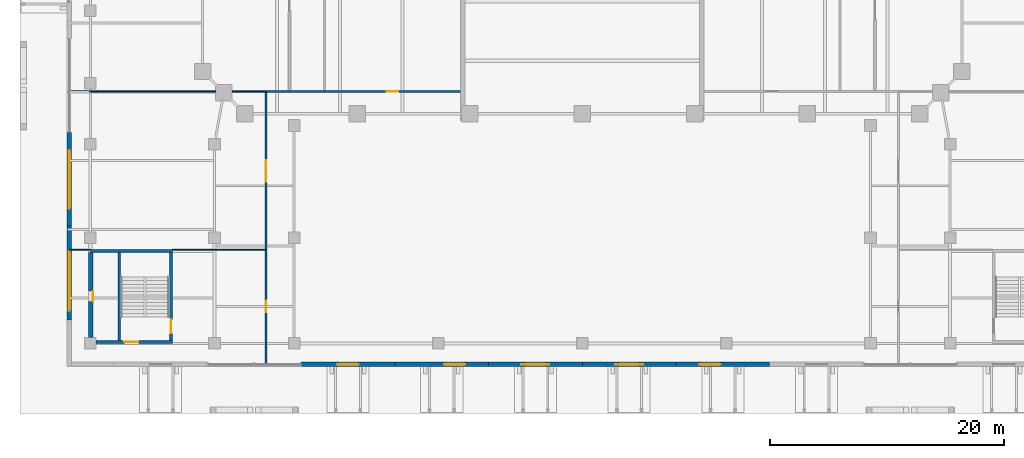
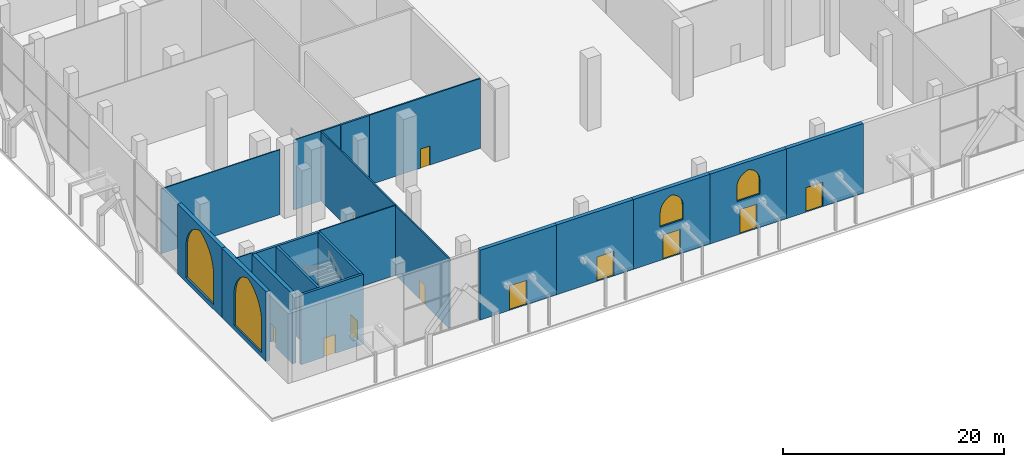
# One storey, part 27 of 38: 21 walls, 11 doors, 4 windows, 15 openings.
"""IFC4 building model written with IfcOpenShell, lengths in metres."""

from ifc_helpers import new_model, si_unit, direction, frame, frame_2d, origin, place, context, subcontext, project, spatial, polyline, rectangle, outline, extrude, material, layer, layer_set, type_object, element, fill, save


model = new_model("IFC4")

# Units and contexts
model_context = context("Model", 3, precision=1e-05, world=origin(), true_north=direction((0.0, 1.0)))
body_context = subcontext(model_context, "Body", "Model", "MODEL_VIEW")
ifc_project = project(units=[si_unit("LENGTHUNIT", "METRE"), si_unit("AREAUNIT", "SQUARE_METRE"), si_unit("VOLUMEUNIT", "CUBIC_METRE"), si_unit("PLANEANGLEUNIT", "RADIAN"), si_unit("MASSUNIT", "GRAM", prefix="KILO")], contexts=[model_context])

# Site, building, storey
site_placement = place(None, origin())
site = spatial("IfcSite", under=ifc_project, at=site_placement, CompositionType="ELEMENT")
building_placement = place(site_placement, origin())
building = spatial("IfcBuilding", under=site, at=building_placement, Name="Ogive Exchange Tower", CompositionType="ELEMENT")
storey_placement = place(building_placement, origin())
storey = spatial("IfcBuildingStorey", under=building, at=storey_placement, Name="L00", CompositionType="ELEMENT", Elevation=0.0)

# Wall
ifc_material_1 = material(Name="Fire partition EI 60 150")
ifc_layer_1 = layer(ifc_material_1, 0.14990234375)
ifc_layer_set_1 = layer_set([ifc_layer_1], Name="Fire partition EI 60 150")
wall_type_1 = type_object("IfcWallType", Name="Fire partition EI 60 150", PredefinedType="PARTITIONING", material=ifc_layer_set_1)
wall_1_placement = place(storey_placement, frame((-27.0, -28.5, 0.0), z_axis=(0.0, 0.0, 1.0), x_axis=(1.0, 0.0, 0.0)))
element("IfcWall", 1, at=wall_1_placement, inside=storey, type_object=wall_type_1, Name="L00-PWL-007", PredefinedType="PARTITIONING", context=body_context, shape_type="SweptSolid", body=[
    extrude(rectangle(XDim=2.0, YDim=0.14990234375, at=frame_2d((1.0, 0.0))), origin(), (0.0, 0.0, 1.0), 7.699951171875),
])

# Wall, opening, door
wall_2_placement = place(storey_placement, frame((-22.0, -28.5, 0.0), z_axis=(0.0, 0.0, 1.0), x_axis=(1.0, 0.0, 0.0)))
wall_2 = element("IfcWall", 2, at=wall_2_placement, inside=storey, type_object=wall_type_1, Name="L00-PWL-009", PredefinedType="PARTITIONING", context=body_context, shape_type="SweptSolid", body=[
    extrude(rectangle(XDim=11.60009765625, YDim=0.14990234375, at=frame_2d((5.800048828125, 0.0))), origin(), (0.0, 0.0, 1.0), 7.699951171875),
])
opening_1_placement = place(wall_2_placement, frame((5.300048828125, 0.0, 0.0)))
opening_1 = element("IfcOpeningElement", 3, at=opening_1_placement, cuts=wall_2, Name="Opening L00-I17", PredefinedType="OPENING", context=body_context, shape_type="SweptSolid", body=[
    extrude(rectangle(XDim=1.0, YDim=2.10009765625, at=frame_2d((0.5, 1.050048828125))), frame((0.0, 0.0849609375, 0.0), z_axis=(0.0, -1.0, 0.0), x_axis=(1.0, 0.0, 0.0)), (0.0, 0.0, 1.0), 0.169921875),
])
ifc_material_2 = material(Name="Fire door FD 30S 1000 x 2100")
door_type_1 = type_object("IfcDoorType", Name="Fire door FD 30S 1000 x 2100", OperationType="NOTDEFINED", PredefinedType="DOOR", material=ifc_material_2)
door_1_placement = place(opening_1_placement, origin())
door_1 = element("IfcDoor", 4, at=door_1_placement, inside=storey, type_object=door_type_1, Name="L00-IDR-017", ObjectType="DT3", OperationType="SINGLE_SWING_LEFT", OverallHeight=2.10009765625, OverallWidth=1.0, PredefinedType="DOOR", context=body_context, shape_type="SweptSolid", body=[
    extrude(rectangle(XDim=1.0, YDim=2.10009765625, at=frame_2d((0.5, 1.050048828125))), frame((0.0, 0.02490234375, 0.0), z_axis=(0.0, -1.0, 0.0), x_axis=(1.0, 0.0, 0.0)), (0.0, 0.0, 1.0), 0.050048828125),
])
fill(opening_1, door_1)

wall_3_placement = place(storey_placement, frame((-27.0, -51.719970703125, 0.0), z_axis=(0.0, 0.0, 1.0), x_axis=(0.0, 1.0, 0.0)))
wall_3 = element("IfcWall", 5, at=wall_3_placement, inside=storey, type_object=wall_type_1, Name="L00-PWL-030", PredefinedType="PARTITIONING", context=body_context, shape_type="SweptSolid", body=[
    extrude(rectangle(XDim=9.719970703125, YDim=0.14990234375, at=frame_2d((4.85986328125, 0.0))), origin(), (0.0, 0.0, 1.0), 7.699951171875),
])
opening_2_placement = place(wall_3_placement, frame((4.360107421875, 0.0, 0.0)))
opening_2 = element("IfcOpeningElement", 6, at=opening_2_placement, cuts=wall_3, Name="Opening L00-I03", PredefinedType="OPENING", context=body_context, shape_type="SweptSolid", body=[
    extrude(rectangle(XDim=1.0, YDim=2.10009765625, at=frame_2d((0.5, 1.050048828125))), frame((0.0, 0.0849609375, 0.0), z_axis=(0.0, -1.0, 0.0), x_axis=(1.0, 0.0, 0.0)), (0.0, 0.0, 1.0), 0.169921875),
])
door_2_placement = place(opening_2_placement, origin())
door_2 = element("IfcDoor", 7, at=door_2_placement, inside=storey, type_object=door_type_1, Name="L00-IDR-003", ObjectType="DT3", OperationType="SINGLE_SWING_LEFT", OverallHeight=2.10009765625, OverallWidth=1.0, PredefinedType="DOOR", context=body_context, shape_type="SweptSolid", body=[
    extrude(rectangle(XDim=1.0, YDim=2.10009765625, at=frame_2d((0.5, 1.050048828125))), frame((0.0, 0.02490234375, 0.0), z_axis=(0.0, -1.0, 0.0), x_axis=(1.0, 0.0, 0.0)), (0.0, 0.0, 1.0), 0.050048828125),
])
fill(opening_2, door_2)

wall_4_placement = place(storey_placement, frame((-27.0, -42.0, 0.0), z_axis=(0.0, 0.0, 1.0), x_axis=(0.0, 1.0, 0.0)))
wall_4 = element("IfcWall", 8, at=wall_4_placement, inside=storey, type_object=wall_type_1, Name="L00-PWL-031", PredefinedType="PARTITIONING", context=body_context, shape_type="SweptSolid", body=[
    extrude(rectangle(XDim=13.425048828125, YDim=0.14990234375, at=frame_2d((6.71240234375, 0.0))), origin(), (0.0, 0.0, 1.0), 7.699951171875),
])
opening_3_placement = place(wall_4_placement, frame((5.8125, 0.0, 0.0)))
opening_3 = element("IfcOpeningElement", 9, at=opening_3_placement, cuts=wall_4, Name="Opening L00-I19", PredefinedType="OPENING", context=body_context, shape_type="SweptSolid", body=[
    extrude(rectangle(XDim=1.800048828125, YDim=2.10009765625, at=frame_2d((0.89990234375, 1.050048828125))), frame((0.0, 0.0849609375, 0.0), z_axis=(0.0, -1.0, 0.0), x_axis=(1.0, 0.0, 0.0)), (0.0, 0.0, 1.0), 0.169921875),
])
ifc_material_3 = material(Name="Fire door FD 30S 1800 x 2100")
door_type_2 = type_object("IfcDoorType", Name="Fire door FD 30S 1800 x 2100", OperationType="DOUBLE_DOOR_SINGLE_SWING", PredefinedType="DOOR", material=ifc_material_3)
door_3_placement = place(opening_3_placement, origin())
door_3 = element("IfcDoor", 10, at=door_3_placement, inside=storey, type_object=door_type_2, Name="L00-IDR-019", ObjectType="DT4", OperationType="SINGLE_SWING_RIGHT", OverallHeight=2.10009765625, OverallWidth=1.800048828125, PredefinedType="DOOR", context=body_context, shape_type="SweptSolid", body=[
    extrude(rectangle(XDim=1.800048828125, YDim=2.10009765625, at=frame_2d((0.89990234375, 1.050048828125))), frame((0.0, 0.02490234375, 0.0), z_axis=(0.0, -1.0, 0.0), x_axis=(1.0, 0.0, 0.0)), (0.0, 0.0, 1.0), 0.050048828125),
])
fill(opening_3, door_3)

ifc_material_4 = material(Name="Precast concrete C40/50", Category="concrete")
ifc_layer_2 = layer(ifc_material_4, 0.39990234375)
ifc_layer_set_2 = layer_set([ifc_layer_2], Name="Limestone-faced wall 400")
wall_type_2 = type_object("IfcWallType", Name="Limestone-faced wall 400", PredefinedType="STANDARD", material=ifc_layer_set_2)
wall_5_placement = place(storey_placement, frame((-24.0, -51.800048828125, 0.0), z_axis=(0.0, 0.0, 1.0), x_axis=(1.0, 0.0, 0.0)))
wall_5 = element("IfcWall", 11, at=wall_5_placement, inside=storey, type_object=wall_type_2, Name="Podium wall S4", PredefinedType="STANDARD", context=body_context, shape_type="SweptSolid", body=[
    extrude(rectangle(XDim=8.0, YDim=0.39990234375, at=frame_2d((4.0, 0.0))), origin(), (0.0, 0.0, 1.0), 7.699951171875),
])
opening_4_placement = place(wall_5_placement, frame((3.10009765625, 0.0, 0.0)))
opening_4 = element("IfcOpeningElement", 12, at=opening_4_placement, cuts=wall_5, Name="Opening L00-E02", PredefinedType="OPENING", context=body_context, shape_type="SweptSolid", body=[
    extrude(rectangle(XDim=1.800048828125, YDim=2.699951171875, at=frame_2d((0.89990234375, 1.35009765625))), frame((0.0, 0.2099609375, 0.0), z_axis=(0.0, -1.0, 0.0), x_axis=(1.0, 0.0, 0.0)), (0.0, 0.0, 1.0), 0.419921875),
])
ifc_material_5 = material(Name="Steel and glass", Category="steel")
door_type_3 = type_object("IfcDoorType", Name="Exit door 1800 x 2700", OperationType="DOUBLE_DOOR_SINGLE_SWING", PredefinedType="DOOR", material=ifc_material_5)
door_4_placement = place(opening_4_placement, frame((1.800048828125, 0.0, 0.0), z_axis=(0.0, 0.0, 1.0), x_axis=(-1.0, 0.0, 0.0)))
door_4 = element("IfcDoor", 13, at=door_4_placement, inside=storey, type_object=door_type_3, Name="Exit door X2", ObjectType="XD1", OperationType="DOUBLE_DOOR_SINGLE_SWING", OverallHeight=2.699951171875, OverallWidth=1.800048828125, PredefinedType="DOOR", context=body_context, shape_type="SweptSolid", body=[
    extrude(rectangle(XDim=1.800048828125, YDim=2.699951171875, at=frame_2d((0.89990234375, 1.35009765625))), frame((0.0, 0.02490234375, 0.0), z_axis=(0.0, -1.0, 0.0), x_axis=(1.0, 0.0, 0.0)), (0.0, 0.0, 1.0), 0.050048828125),
])
fill(opening_4, door_4)

wall_6_placement = place(storey_placement, frame((-16.0, -51.800048828125, 0.0), z_axis=(0.0, 0.0, 1.0), x_axis=(1.0, 0.0, 0.0)))
wall_6 = element("IfcWall", 14, at=wall_6_placement, inside=storey, type_object=wall_type_2, Name="Podium wall S5", PredefinedType="STANDARD", context=body_context, shape_type="SweptSolid", body=[
    extrude(rectangle(XDim=8.0, YDim=0.39990234375, at=frame_2d((4.0, 0.0))), origin(), (0.0, 0.0, 1.0), 7.699951171875),
])
opening_5_placement = place(wall_6_placement, frame((4.199951171875, 0.0, 0.0)))
opening_5 = element("IfcOpeningElement", 15, at=opening_5_placement, cuts=wall_6, Name="Opening L00-E03", PredefinedType="OPENING", context=body_context, shape_type="SweptSolid", body=[
    extrude(rectangle(XDim=1.800048828125, YDim=2.699951171875, at=frame_2d((0.89990234375, 1.35009765625))), frame((0.0, 0.2099609375, 0.0), z_axis=(0.0, -1.0, 0.0), x_axis=(1.0, 0.0, 0.0)), (0.0, 0.0, 1.0), 0.419921875),
])
door_5_placement = place(opening_5_placement, frame((1.800048828125, 0.0, 0.0), z_axis=(0.0, 0.0, 1.0), x_axis=(-1.0, 0.0, 0.0)))
door_5 = element("IfcDoor", 16, at=door_5_placement, inside=storey, type_object=door_type_3, Name="Exit door X3", ObjectType="XD1", OperationType="DOUBLE_DOOR_SINGLE_SWING", OverallHeight=2.699951171875, OverallWidth=1.800048828125, PredefinedType="DOOR", context=body_context, shape_type="SweptSolid", body=[
    extrude(rectangle(XDim=1.800048828125, YDim=2.699951171875, at=frame_2d((0.89990234375, 1.35009765625))), frame((0.0, 0.02490234375, 0.0), z_axis=(0.0, -1.0, 0.0), x_axis=(1.0, 0.0, 0.0)), (0.0, 0.0, 1.0), 0.050048828125),
])
fill(opening_5, door_5)

# Wall, openings, window, door
wall_7_placement = place(storey_placement, frame((-8.0, -51.800048828125, 0.0), z_axis=(0.0, 0.0, 1.0), x_axis=(1.0, 0.0, 0.0)))
wall_7 = element("IfcWall", 17, at=wall_7_placement, inside=storey, type_object=wall_type_2, Name="Podium wall S6", PredefinedType="STANDARD", context=body_context, shape_type="SweptSolid", body=[
    extrude(rectangle(XDim=8.0, YDim=0.39990234375, at=frame_2d((4.0, 0.0))), origin(), (0.0, 0.0, 1.0), 7.699951171875),
])
opening_6_placement = place(wall_7_placement, frame((3.10009765625, 0.0, 0.0)))
opening_6 = element("IfcOpeningElement", 18, at=opening_6_placement, cuts=wall_7, Name="Opening L00-E04", PredefinedType="OPENING", context=body_context, shape_type="SweptSolid", body=[
    extrude(rectangle(XDim=1.800048828125, YDim=2.699951171875, at=frame_2d((0.89990234375, 1.35009765625))), frame((0.0, 0.2099609375, 0.0), z_axis=(0.0, -1.0, 0.0), x_axis=(1.0, 0.0, 0.0)), (0.0, 0.0, 1.0), 0.419921875),
])
opening_7_placement = place(wall_7_placement, frame((2.800048828125, 0.0, 3.699951171875)))
opening_7 = element("IfcOpeningElement", 19, at=opening_7_placement, cuts=wall_7, Name="Opening WF310", PredefinedType="OPENING", context=body_context, shape_type="SweptSolid", body=[
    extrude(outline(polyline([(0.0, 0.0), (2.39990234375, 0.0), (2.39990234375, 1.550048828125), (2.378173828125, 1.8125), (2.313720703125, 2.06787109375), (2.20849609375, 2.309326171875), (2.06494140625, 2.5302734375), (1.886962890625, 2.724365234375), (1.6796875, 2.886962890625), (1.44873046875, 3.013427734375), (1.199951171875, 3.10009765625), (0.951171875, 3.013427734375), (0.72021484375, 2.886962890625), (0.512939453125, 2.724365234375), (0.3349609375, 2.5302734375), (0.19140625, 2.309326171875), (0.086181640625, 2.06787109375), (0.021728515625, 1.8125), (0.0, 1.550048828125), (0.0, 0.0)])), frame((0.0, 0.2099609375, 0.0), z_axis=(0.0, -1.0, 0.0), x_axis=(1.0, 0.0, 0.0)), (0.0, 0.0, 1.0), 0.419921875),
])
ifc_material_6 = material(Name="Clear glass in bronze frame", Category="glass")
window_type_1 = type_object("IfcWindowType", Name="Entrance fanlight 2400 x 3100", PartitioningType="DOUBLE_PANEL_VERTICAL", PredefinedType="WINDOW", material=ifc_material_6)
window_1_placement = place(opening_7_placement, origin())
window_1 = element("IfcWindow", 20, at=window_1_placement, inside=storey, type_object=window_type_1, Name="Entrance fanlight 4", OverallHeight=3.10009765625, OverallWidth=2.39990234375, PartitioningType="DOUBLE_PANEL_VERTICAL", PredefinedType="WINDOW", context=body_context, shape_type="SweptSolid", body=[
    extrude(outline(polyline([(0.0, 0.0), (2.39990234375, 0.0), (2.39990234375, 1.550048828125), (2.378173828125, 1.8125), (2.313720703125, 2.06787109375), (2.20849609375, 2.309326171875), (2.06494140625, 2.5302734375), (1.886962890625, 2.724365234375), (1.6796875, 2.886962890625), (1.44873046875, 3.013427734375), (1.199951171875, 3.10009765625), (0.951171875, 3.013427734375), (0.72021484375, 2.886962890625), (0.512939453125, 2.724365234375), (0.3349609375, 2.5302734375), (0.19140625, 2.309326171875), (0.086181640625, 2.06787109375), (0.021728515625, 1.8125), (0.0, 1.550048828125), (0.0, 0.0)])), frame((0.0, 0.030029296875, 0.0), z_axis=(0.0, -1.0, 0.0), x_axis=(1.0, 0.0, 0.0)), (0.0, 0.0, 1.0), 0.06005859375),
])
fill(opening_7, window_1)
door_6_placement = place(opening_6_placement, frame((1.800048828125, 0.0, 0.0), z_axis=(0.0, 0.0, 1.0), x_axis=(-1.0, 0.0, 0.0)))
door_6 = element("IfcDoor", 21, at=door_6_placement, inside=storey, type_object=door_type_3, Name="Exit door X4", ObjectType="XD1", OperationType="DOUBLE_DOOR_SINGLE_SWING", OverallHeight=2.699951171875, OverallWidth=1.800048828125, PredefinedType="DOOR", context=body_context, shape_type="SweptSolid", body=[
    extrude(rectangle(XDim=1.800048828125, YDim=2.699951171875, at=frame_2d((0.89990234375, 1.35009765625))), frame((0.0, 0.02490234375, 0.0), z_axis=(0.0, -1.0, 0.0), x_axis=(1.0, 0.0, 0.0)), (0.0, 0.0, 1.0), 0.050048828125),
])
fill(opening_6, door_6)

wall_8_placement = place(storey_placement, frame((0.0, -51.800048828125, 0.0), z_axis=(0.0, 0.0, 1.0), x_axis=(1.0, 0.0, 0.0)))
wall_8 = element("IfcWall", 22, at=wall_8_placement, inside=storey, type_object=wall_type_2, Name="Podium wall S7", PredefinedType="STANDARD", context=body_context, shape_type="SweptSolid", body=[
    extrude(rectangle(XDim=8.0, YDim=0.39990234375, at=frame_2d((4.0, 0.0))), origin(), (0.0, 0.0, 1.0), 7.699951171875),
])
opening_8_placement = place(wall_8_placement, frame((3.10009765625, 0.0, 0.0)))
opening_8 = element("IfcOpeningElement", 23, at=opening_8_placement, cuts=wall_8, Name="Opening L00-E05", PredefinedType="OPENING", context=body_context, shape_type="SweptSolid", body=[
    extrude(rectangle(XDim=1.800048828125, YDim=2.699951171875, at=frame_2d((0.89990234375, 1.35009765625))), frame((0.0, 0.2099609375, 0.0), z_axis=(0.0, -1.0, 0.0), x_axis=(1.0, 0.0, 0.0)), (0.0, 0.0, 1.0), 0.419921875),
])
opening_9_placement = place(wall_8_placement, frame((2.800048828125, 0.0, 3.699951171875)))
opening_9 = element("IfcOpeningElement", 24, at=opening_9_placement, cuts=wall_8, Name="Opening WF310", PredefinedType="OPENING", context=body_context, shape_type="SweptSolid", body=[
    extrude(outline(polyline([(0.0, 0.0), (2.39990234375, 0.0), (2.39990234375, 1.550048828125), (2.378173828125, 1.8125), (2.313720703125, 2.06787109375), (2.20849609375, 2.309326171875), (2.06494140625, 2.5302734375), (1.886962890625, 2.724365234375), (1.6796875, 2.886962890625), (1.44873046875, 3.013427734375), (1.199951171875, 3.10009765625), (0.951171875, 3.013427734375), (0.72021484375, 2.886962890625), (0.512939453125, 2.724365234375), (0.3349609375, 2.5302734375), (0.19140625, 2.309326171875), (0.086181640625, 2.06787109375), (0.021728515625, 1.8125), (0.0, 1.550048828125), (0.0, 0.0)])), frame((0.0, 0.2099609375, 0.0), z_axis=(0.0, -1.0, 0.0), x_axis=(1.0, 0.0, 0.0)), (0.0, 0.0, 1.0), 0.419921875),
])
window_2_placement = place(opening_9_placement, origin())
window_2 = element("IfcWindow", 25, at=window_2_placement, inside=storey, type_object=window_type_1, Name="Entrance fanlight 5", OverallHeight=3.10009765625, OverallWidth=2.39990234375, PartitioningType="DOUBLE_PANEL_VERTICAL", PredefinedType="WINDOW", context=body_context, shape_type="SweptSolid", body=[
    extrude(outline(polyline([(0.0, 0.0), (2.39990234375, 0.0), (2.39990234375, 1.550048828125), (2.378173828125, 1.8125), (2.313720703125, 2.06787109375), (2.20849609375, 2.309326171875), (2.06494140625, 2.5302734375), (1.886962890625, 2.724365234375), (1.6796875, 2.886962890625), (1.44873046875, 3.013427734375), (1.199951171875, 3.10009765625), (0.951171875, 3.013427734375), (0.72021484375, 2.886962890625), (0.512939453125, 2.724365234375), (0.3349609375, 2.5302734375), (0.19140625, 2.309326171875), (0.086181640625, 2.06787109375), (0.021728515625, 1.8125), (0.0, 1.550048828125), (0.0, 0.0)])), frame((0.0, 0.030029296875, 0.0), z_axis=(0.0, -1.0, 0.0), x_axis=(1.0, 0.0, 0.0)), (0.0, 0.0, 1.0), 0.06005859375),
])
fill(opening_9, window_2)
door_7_placement = place(opening_8_placement, frame((1.800048828125, 0.0, 0.0), z_axis=(0.0, 0.0, 1.0), x_axis=(-1.0, 0.0, 0.0)))
door_7 = element("IfcDoor", 26, at=door_7_placement, inside=storey, type_object=door_type_3, Name="Exit door X5", ObjectType="XD1", OperationType="DOUBLE_DOOR_SINGLE_SWING", OverallHeight=2.699951171875, OverallWidth=1.800048828125, PredefinedType="DOOR", context=body_context, shape_type="SweptSolid", body=[
    extrude(rectangle(XDim=1.800048828125, YDim=2.699951171875, at=frame_2d((0.89990234375, 1.35009765625))), frame((0.0, 0.02490234375, 0.0), z_axis=(0.0, -1.0, 0.0), x_axis=(1.0, 0.0, 0.0)), (0.0, 0.0, 1.0), 0.050048828125),
])
fill(opening_8, door_7)

# Wall, opening, door
wall_9_placement = place(storey_placement, frame((8.0, -51.800048828125, 0.0), z_axis=(0.0, 0.0, 1.0), x_axis=(1.0, 0.0, 0.0)))
wall_9 = element("IfcWall", 27, at=wall_9_placement, inside=storey, type_object=wall_type_2, Name="Podium wall S8", PredefinedType="STANDARD", context=body_context, shape_type="SweptSolid", body=[
    extrude(rectangle(XDim=8.0, YDim=0.39990234375, at=frame_2d((4.0, 0.0))), origin(), (0.0, 0.0, 1.0), 7.699951171875),
])
opening_10_placement = place(wall_9_placement, frame((2.0, 0.0, 0.0)))
opening_10 = element("IfcOpeningElement", 28, at=opening_10_placement, cuts=wall_9, Name="Opening L00-E06", PredefinedType="OPENING", context=body_context, shape_type="SweptSolid", body=[
    extrude(rectangle(XDim=1.800048828125, YDim=2.699951171875, at=frame_2d((0.89990234375, 1.35009765625))), frame((0.0, 0.2099609375, 0.0), z_axis=(0.0, -1.0, 0.0), x_axis=(1.0, 0.0, 0.0)), (0.0, 0.0, 1.0), 0.419921875),
])
door_8_placement = place(opening_10_placement, frame((1.800048828125, 0.0, 0.0), z_axis=(0.0, 0.0, 1.0), x_axis=(-1.0, 0.0, 0.0)))
door_8 = element("IfcDoor", 29, at=door_8_placement, inside=storey, type_object=door_type_3, Name="Exit door X6", ObjectType="XD1", OperationType="DOUBLE_DOOR_SINGLE_SWING", OverallHeight=2.699951171875, OverallWidth=1.800048828125, PredefinedType="DOOR", context=body_context, shape_type="SweptSolid", body=[
    extrude(rectangle(XDim=1.800048828125, YDim=2.699951171875, at=frame_2d((0.89990234375, 1.35009765625))), frame((0.0, 0.02490234375, 0.0), z_axis=(0.0, -1.0, 0.0), x_axis=(1.0, 0.0, 0.0)), (0.0, 0.0, 1.0), 0.050048828125),
])
fill(opening_10, door_8)

# Wall, opening, window
wall_10_placement = place(storey_placement, frame((-43.800048828125, -32.0, 0.0), z_axis=(0.0, 0.0, 1.0), x_axis=(0.0, -1.0, 0.0)))
wall_10 = element("IfcWall", 30, at=wall_10_placement, inside=storey, type_object=wall_type_2, Name="Podium wall W10", PredefinedType="STANDARD", context=body_context, shape_type="SweptSolid", body=[
    extrude(rectangle(XDim=8.0, YDim=0.39990234375, at=frame_2d((4.0, 0.0))), origin(), (0.0, 0.0, 1.0), 7.699951171875),
])
opening_11_placement = place(wall_10_placement, frame((1.5, 0.0, 0.5)))
opening_11 = element("IfcOpeningElement", 31, at=opening_11_placement, cuts=wall_10, Name="Opening WA500", PredefinedType="OPENING", context=body_context, shape_type="SweptSolid", body=[
    extrude(outline(polyline([(0.0, 0.0), (5.0, 0.0), (5.0, 3.349853515625), (4.955322265625, 3.907470703125), (4.822021484375, 4.450927734375), (4.603759765625, 4.966064453125), (4.30615234375, 5.43994140625), (3.936767578125, 5.860107421875), (3.5048828125, 6.2158203125), (3.02197265625, 6.498291015625), (2.5, 6.699951171875), (1.97802734375, 6.498291015625), (1.4951171875, 6.2158203125), (1.063232421875, 5.860107421875), (0.69384765625, 5.43994140625), (0.396240234375, 4.966064453125), (0.177978515625, 4.450927734375), (0.044677734375, 3.907470703125), (0.0, 3.349853515625), (0.0, 0.0)])), frame((0.0, 0.2099609375, 0.0), z_axis=(0.0, -1.0, 0.0), x_axis=(1.0, 0.0, 0.0)), (0.0, 0.0, 1.0), 0.419921875),
])
window_type_2 = type_object("IfcWindowType", Name="Arcade lancet 5000 x 6700", PartitioningType="DOUBLE_PANEL_VERTICAL", PredefinedType="WINDOW", material=ifc_material_6)
window_3_placement = place(opening_11_placement, origin())
window_3 = element("IfcWindow", 32, at=window_3_placement, inside=storey, type_object=window_type_2, Name="Arcade lancet W10", OverallHeight=6.699951171875, OverallWidth=5.0, PartitioningType="DOUBLE_PANEL_VERTICAL", PredefinedType="WINDOW", context=body_context, shape_type="SweptSolid", body=[
    extrude(outline(polyline([(0.0, 0.0), (5.0, 0.0), (5.0, 3.349853515625), (4.955322265625, 3.907470703125), (4.822021484375, 4.450927734375), (4.603759765625, 4.966064453125), (4.30615234375, 5.43994140625), (3.936767578125, 5.860107421875), (3.5048828125, 6.2158203125), (3.02197265625, 6.498291015625), (2.5, 6.699951171875), (1.97802734375, 6.498291015625), (1.4951171875, 6.2158203125), (1.063232421875, 5.860107421875), (0.69384765625, 5.43994140625), (0.396240234375, 4.966064453125), (0.177978515625, 4.450927734375), (0.044677734375, 3.907470703125), (0.0, 3.349853515625), (0.0, 0.0)])), frame((0.0, 0.030029296875, 0.0), z_axis=(0.0, -1.0, 0.0), x_axis=(1.0, 0.0, 0.0)), (0.0, 0.0, 1.0), 0.06005859375),
])
fill(opening_11, window_3)

wall_11_placement = place(storey_placement, frame((-43.800048828125, -40.0, 0.0), z_axis=(0.0, 0.0, 1.0), x_axis=(0.0, -1.0, 0.0)))
wall_11 = element("IfcWall", 33, at=wall_11_placement, inside=storey, type_object=wall_type_2, Name="Podium wall W11", PredefinedType="STANDARD", context=body_context, shape_type="SweptSolid", body=[
    extrude(rectangle(XDim=8.0, YDim=0.39990234375, at=frame_2d((4.0, 0.0))), origin(), (0.0, 0.0, 1.0), 7.699951171875),
])
opening_12_placement = place(wall_11_placement, frame((2.199951171875, 0.0, 0.5)))
opening_12 = element("IfcOpeningElement", 34, at=opening_12_placement, cuts=wall_11, Name="Opening WA500", PredefinedType="OPENING", context=body_context, shape_type="SweptSolid", body=[
    extrude(outline(polyline([(0.0, 0.0), (5.0, 0.0), (5.0, 3.349853515625), (4.955322265625, 3.907470703125), (4.822021484375, 4.450927734375), (4.603759765625, 4.966064453125), (4.30615234375, 5.43994140625), (3.936767578125, 5.860107421875), (3.5048828125, 6.2158203125), (3.02197265625, 6.498291015625), (2.5, 6.699951171875), (1.97802734375, 6.498291015625), (1.4951171875, 6.2158203125), (1.063232421875, 5.860107421875), (0.69384765625, 5.43994140625), (0.396240234375, 4.966064453125), (0.177978515625, 4.450927734375), (0.044677734375, 3.907470703125), (0.0, 3.349853515625), (0.0, 0.0)])), frame((0.0, 0.2099609375, 0.0), z_axis=(0.0, -1.0, 0.0), x_axis=(1.0, 0.0, 0.0)), (0.0, 0.0, 1.0), 0.419921875),
])
window_4_placement = place(opening_12_placement, origin())
window_4 = element("IfcWindow", 35, at=window_4_placement, inside=storey, type_object=window_type_2, Name="Arcade lancet W11", OverallHeight=6.699951171875, OverallWidth=5.0, PartitioningType="DOUBLE_PANEL_VERTICAL", PredefinedType="WINDOW", context=body_context, shape_type="SweptSolid", body=[
    extrude(outline(polyline([(0.0, 0.0), (5.0, 0.0), (5.0, 3.349853515625), (4.955322265625, 3.907470703125), (4.822021484375, 4.450927734375), (4.603759765625, 4.966064453125), (4.30615234375, 5.43994140625), (3.936767578125, 5.860107421875), (3.5048828125, 6.2158203125), (3.02197265625, 6.498291015625), (2.5, 6.699951171875), (1.97802734375, 6.498291015625), (1.4951171875, 6.2158203125), (1.063232421875, 5.860107421875), (0.69384765625, 5.43994140625), (0.396240234375, 4.966064453125), (0.177978515625, 4.450927734375), (0.044677734375, 3.907470703125), (0.0, 3.349853515625), (0.0, 0.0)])), frame((0.0, 0.030029296875, 0.0), z_axis=(0.0, -1.0, 0.0), x_axis=(1.0, 0.0, 0.0)), (0.0, 0.0, 1.0), 0.06005859375),
])
fill(opening_12, window_4)

# Walls
ifc_material_7 = material(Name="Partition 100 gypsum")
ifc_layer_3 = layer(ifc_material_7, 0.10009765625)
ifc_layer_set_3 = layer_set([ifc_layer_3], Name="Partition 100 gypsum")
wall_type_3 = type_object("IfcWallType", Name="Partition 100 gypsum", PredefinedType="PARTITIONING", material=ifc_layer_set_3)
wall_12_placement = place(storey_placement, frame((-43.719970703125, -42.0, 0.0), z_axis=(0.0, 0.0, 1.0), x_axis=(1.0, 0.0, 0.0)))
element("IfcWall", 36, at=wall_12_placement, inside=storey, type_object=wall_type_3, Name="L00-PWL-001", PredefinedType="PARTITIONING", context=body_context, shape_type="SweptSolid", body=[
    extrude(rectangle(XDim=1.719970703125, YDim=0.10009765625, at=frame_2d((0.85986328125, 0.0))), origin(), (0.0, 0.0, 1.0), 7.699951171875),
])
wall_13_placement = place(storey_placement, frame((-35.0, -42.0, 0.0), z_axis=(0.0, 0.0, 1.0), x_axis=(1.0, 0.0, 0.0)))
element("IfcWall", 37, at=wall_13_placement, inside=storey, type_object=wall_type_3, Name="L00-PWL-002", PredefinedType="PARTITIONING", context=body_context, shape_type="SweptSolid", body=[
    extrude(rectangle(XDim=7.925048828125, YDim=0.10009765625, at=frame_2d((3.96240234375, 0.0))), origin(), (0.0, 0.0, 1.0), 7.699951171875),
])
wall_14_placement = place(storey_placement, frame((-43.719970703125, -28.5, 0.0), z_axis=(0.0, 0.0, 1.0), x_axis=(1.0, 0.0, 0.0)))
element("IfcWall", 38, at=wall_14_placement, inside=storey, type_object=wall_type_3, Name="L00-PWL-005", PredefinedType="PARTITIONING", context=body_context, shape_type="SweptSolid", body=[
    extrude(rectangle(XDim=12.419921875, YDim=0.10009765625, at=frame_2d((6.2099609375, 0.0))), origin(), (0.0, 0.0, 1.0), 7.1640625),
])
wall_15_placement = place(storey_placement, frame((-29.89990234375, -28.5, 0.0), z_axis=(0.0, 0.0, 1.0), x_axis=(1.0, 0.0, 0.0)))
element("IfcWall", 39, at=wall_15_placement, inside=storey, type_object=wall_type_3, Name="L00-PWL-006", PredefinedType="PARTITIONING", context=body_context, shape_type="SweptSolid", body=[
    extrude(rectangle(XDim=2.89990234375, YDim=0.10009765625, at=frame_2d((1.449951171875, 0.0))), origin(), (0.0, 0.0, 1.0), 7.699951171875),
])

# Wall, opening, door
ifc_material_8 = material(Name="Concrete C70/85", Category="concrete")
ifc_layer_4 = layer(ifc_material_8, 0.25)
ifc_layer_set_4 = layer_set([ifc_layer_4], Name="RC core wall 250 C70/85")
wall_type_4 = type_object("IfcWallType", Name="RC core wall 250 C70/85", PredefinedType="SHEAR", material=ifc_layer_set_4)
wall_16_placement = place(storey_placement, frame((-41.5, -49.875, 0.0), z_axis=(0.0, 0.0, 1.0), x_axis=(1.0, 0.0, 0.0)))
wall_16 = element("IfcWall", 40, at=wall_16_placement, inside=storey, type_object=wall_type_4, Name="PS1 south wall", PredefinedType="SHEAR", context=body_context, shape_type="SweptSolid", body=[
    extrude(rectangle(XDim=6.5, YDim=0.25, at=frame_2d((3.25, 0.0))), origin(), (0.0, 0.0, 1.0), 7.699951171875),
])
opening_13_placement = place(wall_16_placement, frame((2.39990234375, 0.0, 0.0)))
opening_13 = element("IfcOpeningElement", 41, at=opening_13_placement, cuts=wall_16, Name="Opening L00-C46", PredefinedType="OPENING", context=body_context, shape_type="SweptSolid", body=[
    extrude(rectangle(XDim=1.199951171875, YDim=2.10009765625, at=frame_2d((0.60009765625, 1.050048828125))), frame((0.0, 0.135009765625, 0.0), z_axis=(0.0, -1.0, 0.0), x_axis=(1.0, 0.0, 0.0)), (0.0, 0.0, 1.0), 0.27001953125),
])
ifc_material_9 = material(Name="Steel fire door", Category="steel")
door_type_4 = type_object("IfcDoorType", Name="Stair door FD90 1200 x 2100", OperationType="NOTDEFINED", PredefinedType="DOOR", material=ifc_material_9)
door_9_placement = place(opening_13_placement, origin())
door_9 = element("IfcDoor", 42, at=door_9_placement, inside=storey, type_object=door_type_4, Name="Stair door", ObjectType="CD5", OperationType="SINGLE_SWING_RIGHT", OverallHeight=2.10009765625, OverallWidth=1.199951171875, PredefinedType="DOOR", context=body_context, shape_type="SweptSolid", body=[
    extrude(rectangle(XDim=1.199951171875, YDim=2.10009765625, at=frame_2d((0.60009765625, 1.050048828125))), frame((0.0, 0.02490234375, 0.0), z_axis=(0.0, -1.0, 0.0), x_axis=(1.0, 0.0, 0.0)), (0.0, 0.0, 1.0), 0.050048828125),
])
fill(opening_13, door_9)

# Wall
wall_17_placement = place(storey_placement, frame((-42.0, -42.125, 0.0), z_axis=(0.0, 0.0, 1.0), x_axis=(1.0, 0.0, 0.0)))
element("IfcWall", 43, at=wall_17_placement, inside=storey, type_object=wall_type_4, Name="PS1 north wall", PredefinedType="SHEAR", context=body_context, shape_type="SweptSolid", body=[
    extrude(rectangle(XDim=7.0, YDim=0.25, at=frame_2d((3.5, 0.0))), origin(), (0.0, 0.0, 1.0), 7.699951171875),
])

# Wall, opening, door
wall_18_placement = place(storey_placement, frame((-35.125, -49.75, 0.0), z_axis=(0.0, 0.0, 1.0), x_axis=(0.0, 1.0, 0.0)))
wall_18 = element("IfcWall", 44, at=wall_18_placement, inside=storey, type_object=wall_type_4, Name="PS1 east wall", PredefinedType="SHEAR", context=body_context, shape_type="SweptSolid", body=[
    extrude(rectangle(XDim=7.5, YDim=0.25, at=frame_2d((3.75, 0.0))), origin(), (0.0, 0.0, 1.0), 7.699951171875),
])
opening_14_placement = place(wall_18_placement, frame((0.60009765625, 0.0, 0.0)))
opening_14 = element("IfcOpeningElement", 45, at=opening_14_placement, cuts=wall_18, Name="Opening L00-C44", PredefinedType="OPENING", context=body_context, shape_type="SweptSolid", body=[
    extrude(rectangle(XDim=1.199951171875, YDim=2.10009765625, at=frame_2d((0.60009765625, 1.050048828125))), frame((0.0, 0.135009765625, 0.0), z_axis=(0.0, -1.0, 0.0), x_axis=(1.0, 0.0, 0.0)), (0.0, 0.0, 1.0), 0.27001953125),
])
door_10_placement = place(opening_14_placement, origin())
door_10 = element("IfcDoor", 46, at=door_10_placement, inside=storey, type_object=door_type_4, Name="Stair door", ObjectType="CD5", OperationType="SINGLE_SWING_RIGHT", OverallHeight=2.10009765625, OverallWidth=1.199951171875, PredefinedType="DOOR", context=body_context, shape_type="SweptSolid", body=[
    extrude(rectangle(XDim=1.199951171875, YDim=2.10009765625, at=frame_2d((0.60009765625, 1.050048828125))), frame((0.0, 0.02490234375, 0.0), z_axis=(0.0, -1.0, 0.0), x_axis=(1.0, 0.0, 0.0)), (0.0, 0.0, 1.0), 0.050048828125),
])
fill(opening_14, door_10)

# Wall
wall_19_placement = place(storey_placement, frame((-39.52490234375, -49.75, 0.0), z_axis=(0.0, 0.0, 1.0), x_axis=(0.0, 1.0, 0.0)))
element("IfcWall", 47, at=wall_19_placement, inside=storey, type_object=wall_type_4, Name="PS1 partition wall", PredefinedType="SHEAR", context=body_context, shape_type="SweptSolid", body=[
    extrude(rectangle(XDim=7.5, YDim=0.25, at=frame_2d((3.75, 0.0))), origin(), (0.0, 0.0, 1.0), 7.699951171875),
])

# Wall, opening, door
ifc_layer_5 = layer(ifc_material_8, 0.383544921875)
ifc_layer_set_5 = layer_set([ifc_layer_5], Name="RC core wall 384 C70/85")
wall_type_5 = type_object("IfcWallType", Name="RC core wall 384 C70/85", PredefinedType="SHEAR", material=ifc_layer_set_5)
wall_20_placement = place(storey_placement, frame((-41.941650390625, -49.5, 0.0), z_axis=(0.0, 0.0, 1.0), x_axis=(0.0, 1.0, 0.0)))
wall_20 = element("IfcWall", 48, at=wall_20_placement, inside=storey, type_object=wall_type_5, Name="PS1 west wall", PredefinedType="SHEAR", context=body_context, shape_type="SweptSolid", body=[
    extrude(rectangle(XDim=7.25, YDim=0.383544921875, at=frame_2d((3.625, 0.0))), origin(), (0.0, 0.0, 1.0), 7.699951171875),
])
opening_15_placement = place(wall_20_placement, frame((3.050048828125, 0.0, 0.0)))
opening_15 = element("IfcOpeningElement", 49, at=opening_15_placement, cuts=wall_20, Name="Opening L00-C45", PredefinedType="OPENING", context=body_context, shape_type="SweptSolid", body=[
    extrude(rectangle(XDim=0.89990234375, YDim=2.10009765625, at=frame_2d((0.449951171875, 1.050048828125))), frame((0.0, 0.20166015625, 0.0), z_axis=(0.0, -1.0, 0.0), x_axis=(1.0, 0.0, 0.0)), (0.0, 0.0, 1.0), 0.403564453125),
])
door_type_5 = type_object("IfcDoorType", Name="Riser door FD60 900 x 2100", OperationType="NOTDEFINED", PredefinedType="DOOR", material=ifc_material_9)
door_11_placement = place(opening_15_placement, origin())
door_11 = element("IfcDoor", 50, at=door_11_placement, inside=storey, type_object=door_type_5, Name="Riser door", ObjectType="CD2", OperationType="SINGLE_SWING_LEFT", OverallHeight=2.10009765625, OverallWidth=0.89990234375, PredefinedType="DOOR", context=body_context, shape_type="SweptSolid", body=[
    extrude(rectangle(XDim=0.89990234375, YDim=2.10009765625, at=frame_2d((0.449951171875, 1.050048828125))), frame((0.0, -0.1416015625, 0.0), z_axis=(0.0, -1.0, 0.0), x_axis=(1.0, 0.0, 0.0)), (0.0, 0.0, 1.0), 0.050048828125),
])
fill(opening_15, door_11)

# Wall
ifc_material_10 = material(Name="Shaft enclosure EI 120 200")
ifc_layer_6 = layer(ifc_material_10, 0.199951171875)
ifc_layer_set_6 = layer_set([ifc_layer_6], Name="Shaft enclosure EI 120 200")
wall_type_6 = type_object("IfcWallType", Name="Shaft enclosure EI 120 200", PredefinedType="PARTITIONING", material=ifc_layer_set_6)
wall_21_placement = place(storey_placement, frame((-25.0, -28.5, 0.0), z_axis=(0.0, 0.0, 1.0), x_axis=(1.0, 0.0, 0.0)))
element("IfcWall", 51, at=wall_21_placement, inside=storey, type_object=wall_type_6, Name="L00-PWL-008", PredefinedType="PARTITIONING", context=body_context, shape_type="SweptSolid", body=[
    extrude(rectangle(XDim=3.0, YDim=0.199951171875, at=frame_2d((1.5, 0.0))), origin(), (0.0, 0.0, 1.0), 7.699951171875),
])

save(model, "model.ifc")
